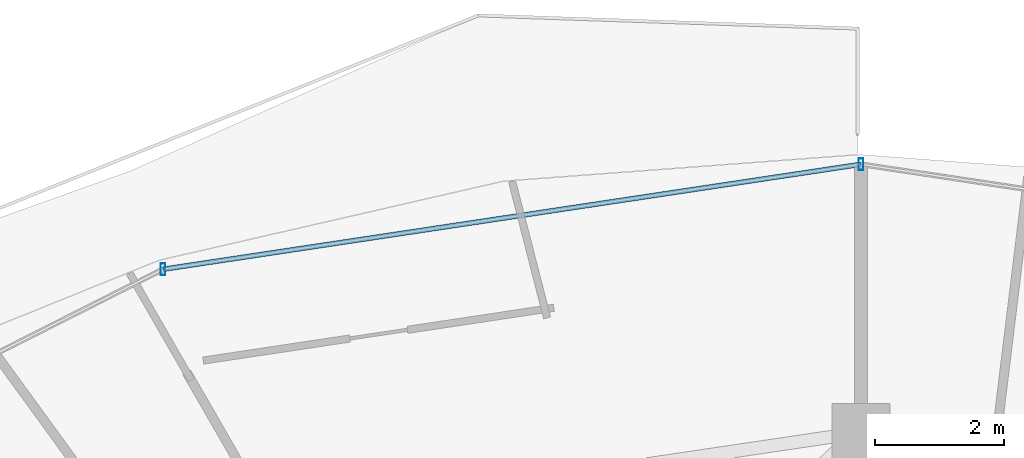
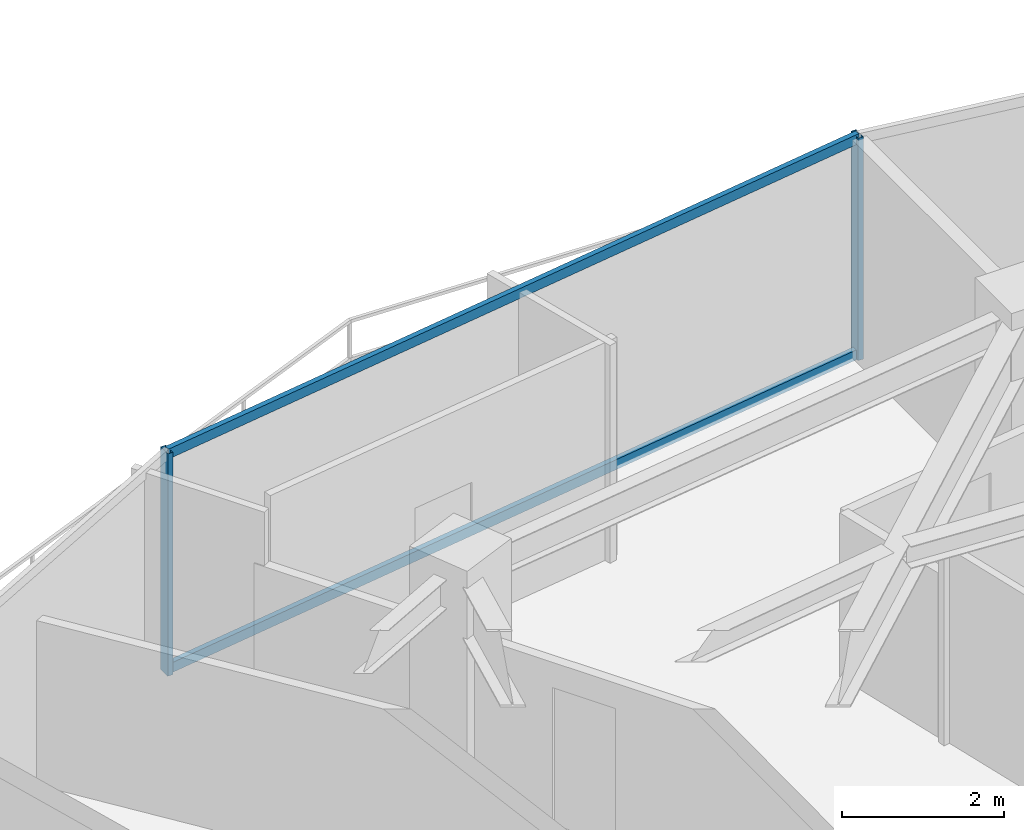
# One storey, part 20 of 34: 4 members, 1 element without a shape of its own.
"""IFC4 building model written with IfcOpenShell, lengths in metres."""

from ifc_helpers import new_model, si_unit, direction, frame, origin, origin_2d, place, context, subcontext, project, spatial, hollow_rectangle, extrude, material, material_profile, profile_set, type_object, element, aggregate, save


model = new_model("IFC4")

# Units and contexts
model_context = context("Model", 3, precision=1e-05, world=origin(), true_north=direction((0.0, 1.0)))
body_context = subcontext(model_context, "Body", "Model", "MODEL_VIEW")
ifc_project = project(units=[si_unit("LENGTHUNIT", "METRE"), si_unit("AREAUNIT", "SQUARE_METRE"), si_unit("VOLUMEUNIT", "CUBIC_METRE"), si_unit("PLANEANGLEUNIT", "RADIAN"), si_unit("MASSUNIT", "GRAM", prefix="KILO")], contexts=[model_context])

# Site, building, storey
site_placement = place(None, origin())
site = spatial("IfcSite", under=ifc_project, at=site_placement, CompositionType="ELEMENT")
building_placement = place(site_placement, origin())
building = spatial("IfcBuilding", under=site, at=building_placement, Name="Vorneva Point Tower", CompositionType="ELEMENT")
storey_placement = place(building_placement, frame((0.0, 0.0, 214.300048828125)))
storey = spatial("IfcBuildingStorey", under=building, at=storey_placement, Name="L58", CompositionType="ELEMENT", Elevation=214.300048828125)

# Curtain wall, members
ifc_material = material(Name="Pale anodised aluminium", Category="aluminium")
curtain_wall_type = type_object("IfcCurtainWallType", Name="CW-RES-SYS", PredefinedType="NOTDEFINED", material=ifc_material)
curtain_wall_placement = place(storey_placement, origin())
curtain_wall = element("IfcCurtainWall", 1, at=curtain_wall_placement, inside=storey, type_object=curtain_wall_type, Name="L58 Unitised Curtain Wall CW-L58-R02", PredefinedType="NOTDEFINED")
ifc_material_profile_1 = material_profile(ifc_material, hollow_rectangle(XDim=0.074951171875, YDim=0.179931640625, WallThickness=0.00390625, at=origin_2d()), Name="AL-MUL 180x75x4")
ifc_profile_set_1 = profile_set([ifc_material_profile_1], Name="Pale anodised aluminium")
member_type_1 = type_object("IfcMemberType", Name="CW-MUL-180", PredefinedType="MULLION", material=ifc_profile_set_1)
member_1_placement = place(storey_placement, frame((38.0, 47.35009765625, -0.0400390625), z_axis=(0.0, 0.0, 1.0), x_axis=(1.0, 0.0, 0.0)))
member_1 = element("IfcMember", 2, at=member_1_placement, type_object=member_type_1, Name="CW-L58-R02 Mullion 03", PredefinedType="MULLION", context=body_context, shape_type="SweptSolid", body=[
    extrude(hollow_rectangle(XDim=0.074951171875, YDim=0.179931640625, WallThickness=0.00390625, at=origin_2d()), origin(), (0.0, 0.0, 1.0), 3.360107421875),
])
member_2_placement = place(storey_placement, frame((27.19677734375, 45.724853515625, -0.0400390625), z_axis=(0.0, 0.0, 1.0), x_axis=(1.0, 0.0, 0.0)))
member_2 = element("IfcMember", 3, at=member_2_placement, type_object=member_type_1, Name="CW-L58-R02 Mullion 04", PredefinedType="MULLION", context=body_context, shape_type="SweptSolid", body=[
    extrude(hollow_rectangle(XDim=0.074951171875, YDim=0.179931640625, WallThickness=0.00390625, at=origin_2d()), origin(), (0.0, 0.0, 1.0), 3.360107421875),
])
ifc_material_profile_2 = material_profile(ifc_material, hollow_rectangle(XDim=0.074951171875, YDim=0.14990234375, WallThickness=0.00390625, at=origin_2d()), Name="AL-TRN 150x75x4")
ifc_profile_set_2 = profile_set([ifc_material_profile_2], Name="Pale anodised aluminium")
member_type_2 = type_object("IfcMemberType", Name="CW-TRN-150", PredefinedType="USERDEFINED", material=ifc_profile_set_2)
member_3_placement = place(storey_placement, frame((38.0, 47.35009765625, 0.02001953125), z_axis=(-0.988872333273, -0.148766624239, 0.0), x_axis=(0.148766624239, -0.988872333273, 0.0)))
member_3 = element("IfcMember", 4, at=member_3_placement, type_object=member_type_2, Name="CW-L58-R02 Transom 03.1", ObjectType="TRANSOM", PredefinedType="USERDEFINED", context=body_context, shape_type="SweptSolid", body=[
    extrude(hollow_rectangle(XDim=0.074951171875, YDim=0.14990234375, WallThickness=0.00390625, at=origin_2d()), origin(), (0.0, 0.0, 1.0), 10.9248046875),
])
member_4_placement = place(storey_placement, frame((38.0, 47.35009765625, 3.27001953125), z_axis=(-0.988872333273, -0.148766624239, 0.0), x_axis=(0.148766624239, -0.988872333273, 0.0)))
member_4 = element("IfcMember", 5, at=member_4_placement, type_object=member_type_2, Name="CW-L58-R02 Transom 03.2", ObjectType="TRANSOM", PredefinedType="USERDEFINED", context=body_context, shape_type="SweptSolid", body=[
    extrude(hollow_rectangle(XDim=0.074951171875, YDim=0.14990234375, WallThickness=0.00390625, at=origin_2d()), origin(), (0.0, 0.0, 1.0), 10.9248046875),
])
aggregate(curtain_wall, [member_1, member_2, member_3, member_4])

save(model, "model.ifc")
